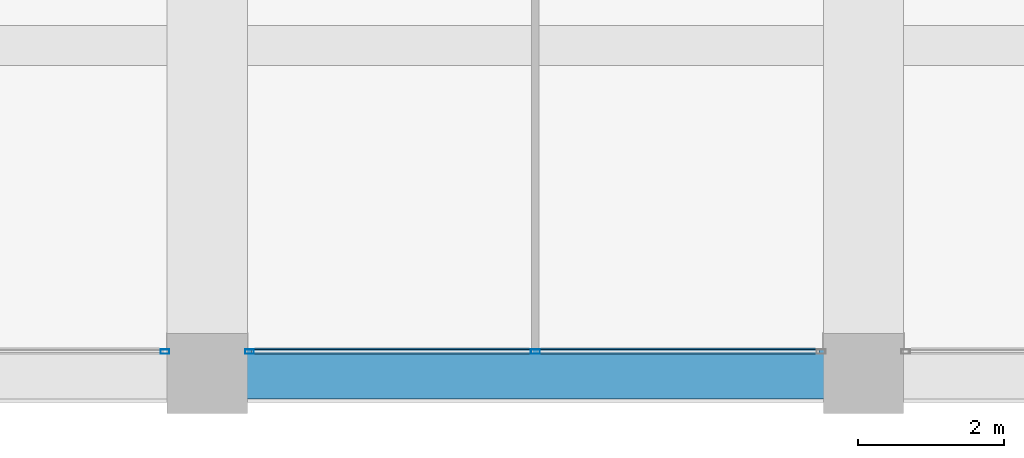
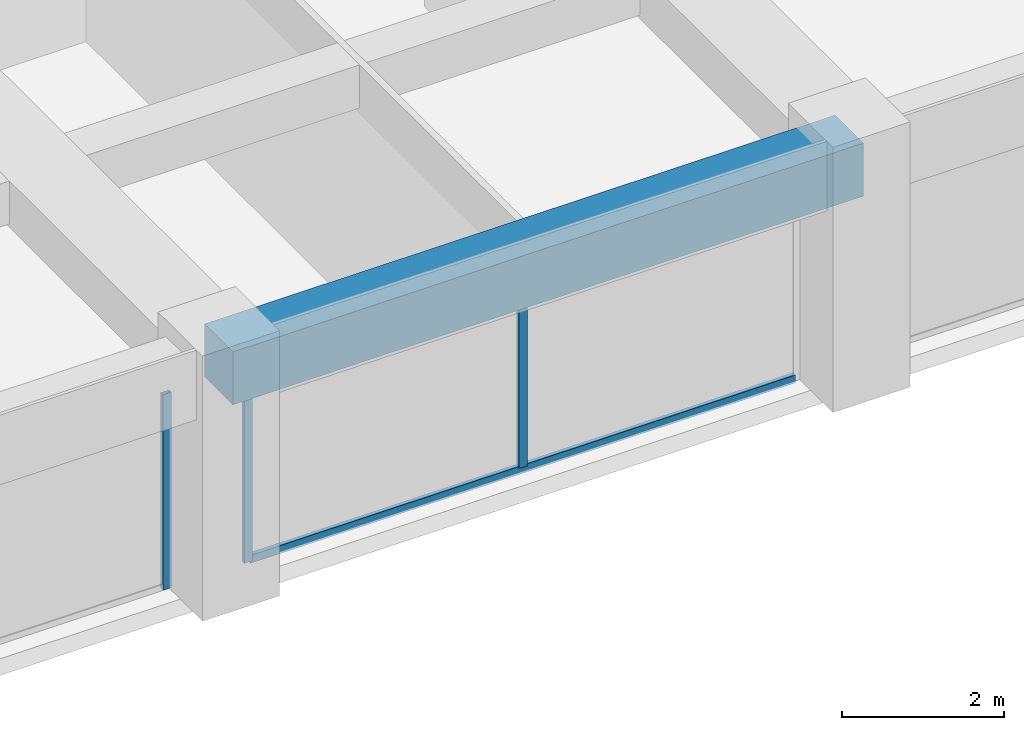
# One storey, part 9 of 44: 4 members, 1 beam, 2 elements without a shape of their own.
"""IFC4 building model written with IfcOpenShell, lengths in metres."""

from ifc_helpers import new_model, si_unit, direction, frame, origin, origin_2d, place, context, subcontext, project, spatial, rectangle, hollow_rectangle, extrude, material, material_profile, profile_set, type_object, element, aggregate, save


model = new_model("IFC4")

# Units and contexts
model_context = context("Model", 3, precision=1e-05, world=origin(), true_north=direction((0.0, 1.0)))
body_context = subcontext(model_context, "Body", "Model", "MODEL_VIEW")
ifc_project = project(units=[si_unit("LENGTHUNIT", "METRE"), si_unit("AREAUNIT", "SQUARE_METRE"), si_unit("VOLUMEUNIT", "CUBIC_METRE"), si_unit("PLANEANGLEUNIT", "RADIAN"), si_unit("MASSUNIT", "GRAM", prefix="KILO")], contexts=[model_context])

# Site, building, storey
site_placement = place(None, origin())
site = spatial("IfcSite", under=ifc_project, at=site_placement, CompositionType="ELEMENT")
building_placement = place(site_placement, origin())
building = spatial("IfcBuilding", under=site, at=building_placement, Name="Zorevar Civic Tower", CompositionType="ELEMENT")
storey_placement = place(building_placement, frame((0.0, 0.0, 255.39990234375)))
storey = spatial("IfcBuildingStorey", under=building, at=storey_placement, Name="L62", CompositionType="ELEMENT", Elevation=255.39990234375)

# Curtain wall, member
ifc_material_1 = material(Name="Dark grey solar-control glass in black aluminium frame", Category="aluminium")
curtain_wall_type = type_object("IfcCurtainWallType", Name="Curtain wall CW5 top zone", PredefinedType="NOTDEFINED", material=ifc_material_1)
curtain_wall_1_placement = place(storey_placement, origin())
curtain_wall_1 = element("IfcCurtainWall", 1, at=curtain_wall_1_placement, inside=storey, type_object=curtain_wall_type, Name="CW5 L62", PredefinedType="NOTDEFINED")
ifc_material_2 = material(Name="Aluminium, black anodised", Category="aluminium")
ifc_material_profile_1 = material_profile(ifc_material_2, hollow_rectangle(XDim=0.06005859375, YDim=0.1201171875, WallThickness=0.0029296875, at=origin_2d()), Name="AL 120x60x3")
ifc_profile_set_1 = profile_set([ifc_material_profile_1], Name="Aluminium, black anodised")
member_type_1 = type_object("IfcMemberType", Name="CW5 mullion AL 120x60x3", PredefinedType="MULLION", material=ifc_profile_set_1)
member_1_placement = place(storey_placement, frame((26.419921875, 0.300048828125, 0.0), z_axis=(0.0, 0.0, 1.0), x_axis=(0.0, 1.0, 0.0)))
member_1 = element("IfcMember", 2, at=member_1_placement, type_object=member_type_1, Name="CW5 mullion 3", PredefinedType="MULLION", context=body_context, shape_type="SweptSolid", body=[
    extrude(hollow_rectangle(XDim=0.06005859375, YDim=0.1201171875, WallThickness=0.0029296875, at=origin_2d()), origin(), (0.0, 0.0, 1.0), 2.9501953125),
])
aggregate(curtain_wall_1, [member_1])

# Curtain wall, members
curtain_wall_2_placement = place(storey_placement, origin())
curtain_wall_2 = element("IfcCurtainWall", 3, at=curtain_wall_2_placement, inside=storey, type_object=curtain_wall_type, Name="CW5 L62", PredefinedType="NOTDEFINED")
member_2_placement = place(storey_placement, frame((27.580078125, 0.300048828125, 0.0), z_axis=(0.0, 0.0, 1.0), x_axis=(0.0, 1.0, 0.0)))
member_2 = element("IfcMember", 4, at=member_2_placement, type_object=member_type_1, Name="CW5 mullion 1", PredefinedType="MULLION", context=body_context, shape_type="SweptSolid", body=[
    extrude(hollow_rectangle(XDim=0.06005859375, YDim=0.1201171875, WallThickness=0.0029296875, at=origin_2d()), origin(), (0.0, 0.0, 1.0), 2.9501953125),
])
member_3_placement = place(storey_placement, frame((31.5, 0.300048828125, 0.06005859375), z_axis=(0.0, 0.0, 1.0), x_axis=(0.0, 1.0, 0.0)))
member_3 = element("IfcMember", 5, at=member_3_placement, type_object=member_type_1, Name="CW5 mullion 2", PredefinedType="MULLION", context=body_context, shape_type="SweptSolid", body=[
    extrude(hollow_rectangle(XDim=0.06005859375, YDim=0.1201171875, WallThickness=0.0029296875, at=origin_2d()), origin(), (0.0, 0.0, 1.0), 2.89013671875),
])
ifc_material_3 = material(Name="Aluminium, black anodised", Category="aluminium")
ifc_material_profile_2 = material_profile(ifc_material_3, hollow_rectangle(XDim=0.06005859375, YDim=0.1201171875, WallThickness=0.0029296875, at=origin_2d()), Name="AL 120x60x3")
ifc_profile_set_2 = profile_set([ifc_material_profile_2], Name="Aluminium, black anodised")
member_type_2 = type_object("IfcMemberType", Name="CW5 transom AL 120x60x3", PredefinedType="USERDEFINED", material=ifc_profile_set_2)
member_4_placement = place(storey_placement, frame((27.610107421875, 0.300048828125, 0.030029296875), z_axis=(1.0, 0.0, 0.0), x_axis=(0.0, 1.0, 0.0)))
member_4 = element("IfcMember", 6, at=member_4_placement, type_object=member_type_2, Name="CW5 sill transom", ObjectType="TRANSOM", PredefinedType="USERDEFINED", context=body_context, shape_type="SweptSolid", body=[
    extrude(hollow_rectangle(XDim=0.06005859375, YDim=0.1201171875, WallThickness=0.0029296875, at=origin_2d()), origin(), (0.0, 0.0, 1.0), 7.77978515625),
])
aggregate(curtain_wall_2, [member_2, member_3, member_4])

# Beam
ifc_material_4 = material(Name="Concrete C50/60", Category="concrete")
ifc_material_profile_3 = material_profile(ifc_material_4, rectangle(XDim=0.699951171875, YDim=0.800048828125, at=origin_2d()), Name="RC 700x800")
ifc_profile_set_3 = profile_set([ifc_material_profile_3], Name="Concrete C50/60")
beam_type = type_object("IfcBeamType", Name="Edge beam RC 700x800", PredefinedType="SPANDREL", material=ifc_profile_set_3)
beam_placement = place(storey_placement, frame((27.0, 0.0, 3.35009765625), z_axis=(1.0, 0.0, 0.0), x_axis=(0.0, 1.0, 0.0)))
element("IfcBeam", 7, at=beam_placement, inside=storey, type_object=beam_type, Name="Edge beam L63", PredefinedType="SPANDREL", context=body_context, shape_type="SweptSolid", body=[
    extrude(rectangle(XDim=0.699951171875, YDim=0.800048828125, at=origin_2d()), origin(), (0.0, 0.0, 1.0), 9.0),
])

save(model, "model.ifc")
